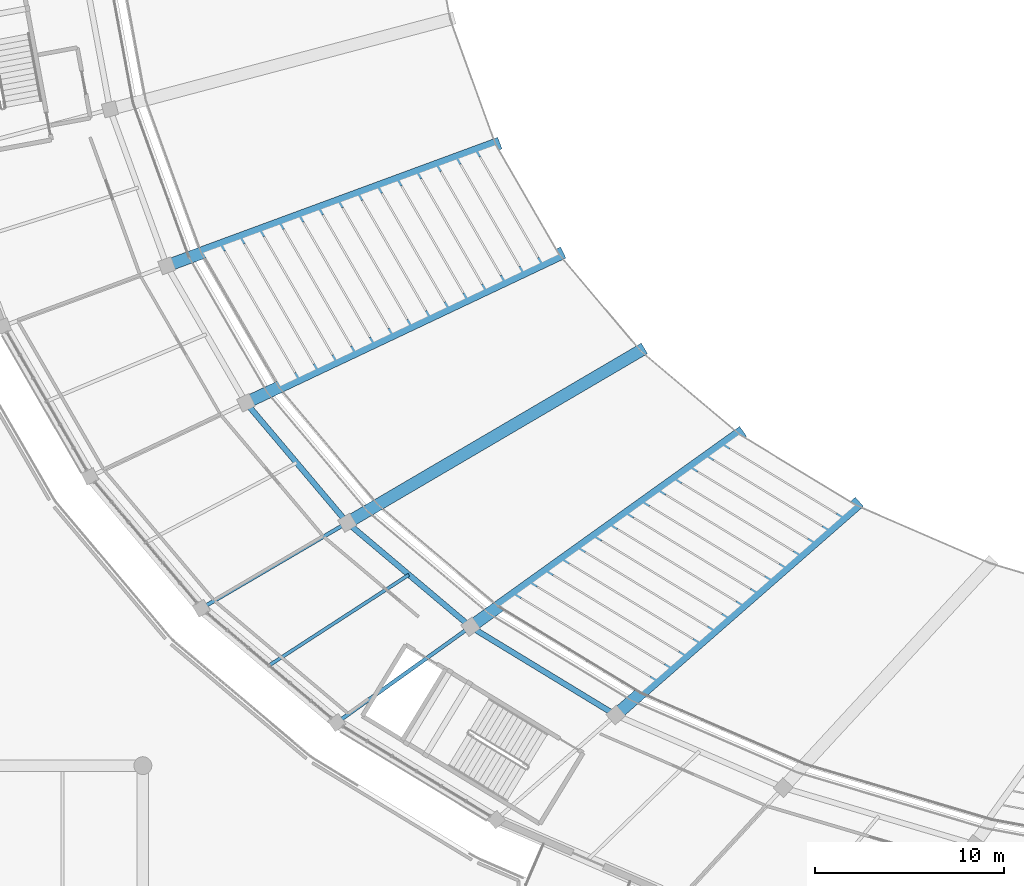
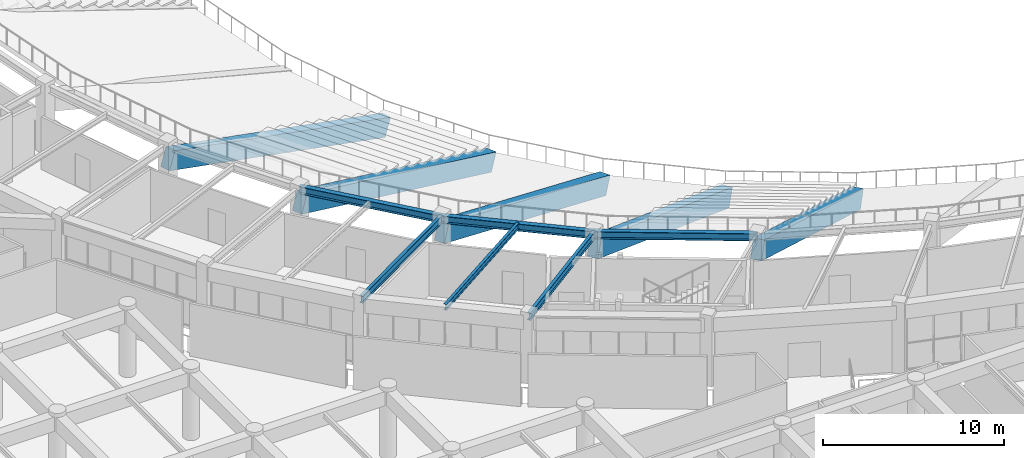
# One storey, part 20 of 137: 11 beams.
"""IFC4 building model written with IfcOpenShell, lengths in metres."""

from ifc_helpers import new_model, si_unit, direction, frame, origin, origin_2d, place, context, subcontext, project, spatial, rectangle, i_section, extrude, material, material_profile, profile_set, type_object, element, save


model = new_model("IFC4")

# Units and contexts
model_context = context("Model", 3, precision=1e-05, world=origin(), true_north=direction((0.0, 1.0)))
body_context = subcontext(model_context, "Body", "Model", "MODEL_VIEW")
ifc_project = project(units=[si_unit("LENGTHUNIT", "METRE"), si_unit("AREAUNIT", "SQUARE_METRE"), si_unit("VOLUMEUNIT", "CUBIC_METRE"), si_unit("PLANEANGLEUNIT", "RADIAN"), si_unit("MASSUNIT", "GRAM", prefix="KILO")], contexts=[model_context])

# Site, building, storey
site_placement = place(None, origin())
site = spatial("IfcSite", under=ifc_project, at=site_placement, CompositionType="ELEMENT")
building_placement = place(site_placement, origin())
building = spatial("IfcBuilding", under=site, at=building_placement, Name="Mphavela Belvedere Stadium", CompositionType="ELEMENT")
storey_placement = place(building_placement, frame((0.0, 0.0, 19.199951171875)))
storey = spatial("IfcBuildingStorey", under=building, at=storey_placement, Name="L04", CompositionType="ELEMENT", Elevation=19.199951171875)

# Beams
ifc_material_1 = material(Name="Steel S355", Category="steel")
ifc_material_profile_1 = material_profile(ifc_material_1, i_section(OverallWidth=0.179931640625, OverallDepth=0.39990234375, WebThickness=0.008544921875, FlangeThickness=0.013427734375, at=origin_2d()), Name="IPE 400")
ifc_profile_set_1 = profile_set([ifc_material_profile_1], Name="Steel S355")
beam_type_1 = type_object("IfcBeamType", Name="BM-JOIST-IPE400", PredefinedType="JOIST", material=ifc_profile_set_1)
beam_1_placement = place(storey_placement, frame((39.669189453125, 38.127197265625, 4.35009765625), z_axis=(-0.838915278194, -0.544262028818, 0.0), x_axis=(0.544262028818, -0.838915278194, 0.0)))
element("IfcBeam", 1, at=beam_1_placement, inside=storey, type_object=beam_type_1, Name="Concourse floor joist L04-30", PredefinedType="JOIST", context=body_context, shape_type="SweptSolid", body=[
    extrude(i_section(OverallWidth=0.179931640625, OverallDepth=0.39990234375, WebThickness=0.008544921875, FlangeThickness=0.013427734375, at=origin_2d()), origin(), (0.0, 0.0, 1.0), 8.840087890625),
])
ifc_material_2 = material(Name="Precast concrete C45/55", Category="concrete")
ifc_material_profile_2 = material_profile(ifc_material_2, rectangle(XDim=0.64990234375, YDim=1.199951171875, at=origin_2d()), Name="PC 650x1200")
ifc_profile_set_2 = profile_set([ifc_material_profile_2], Name="Precast concrete C45/55")
beam_type_2 = type_object("IfcBeamType", Name="BM-RAKER-UPPER", PredefinedType="USERDEFINED", material=ifc_profile_set_2)
beam_2_placement = place(storey_placement, frame((44.27685546875, 60.9453125, -4.349853515625), z_axis=(-0.866159020373, -0.319104203127, 0.384631068654), x_axis=(0.345698667521, -0.938345582008, 0.0)))
element("IfcBeam", 2, at=beam_2_placement, inside=storey, type_object=beam_type_2, Name="Upper tier precast cantilever raker beam RK-U-28", ObjectType="RAKER BEAM", PredefinedType="USERDEFINED", context=body_context, shape_type="SweptSolid", body=[
    extrude(rectangle(XDim=0.64990234375, YDim=1.199951171875, at=origin_2d()), origin(), (0.0, 0.0, 1.0), 20.149169921875),
])
beam_3_placement = place(storey_placement, frame((47.6455078125, 55.118896484375, -4.349853515625), z_axis=(-0.832914269841, -0.39423956274, 0.388367076701), x_axis=(0.427821517517, -0.903863235866, 0.0)))
element("IfcBeam", 3, at=beam_3_placement, inside=storey, type_object=beam_type_2, Name="Upper tier precast cantilever raker beam RK-U-29", ObjectType="RAKER BEAM", PredefinedType="USERDEFINED", context=body_context, shape_type="SweptSolid", body=[
    extrude(rectangle(XDim=0.64990234375, YDim=1.199951171875, at=origin_2d()), origin(), (0.0, 0.0, 1.0), 19.955322265625),
])
beam_4_placement = place(storey_placement, frame((51.956787109375, 50.013427734375, -4.349853515625), z_axis=(-0.792460869646, -0.464928119201, 0.394775396975), x_axis=(0.506028977575, -0.862516477439, 0.0)))
element("IfcBeam", 4, at=beam_4_placement, inside=storey, type_object=beam_type_2, Name="Upper tier precast cantilever raker beam RK-U-30", ObjectType="RAKER BEAM", PredefinedType="USERDEFINED", context=body_context, shape_type="SweptSolid", body=[
    extrude(rectangle(XDim=0.64990234375, YDim=1.199951171875, at=origin_2d()), origin(), (0.0, 0.0, 1.0), 19.63134765625),
])
beam_5_placement = place(storey_placement, frame((57.201416015625, 45.587646484375, -4.349853515625), z_axis=(-0.743575410162, -0.532772672348, 0.40404070216), x_axis=(0.582430073559, -0.812880808861, 0.0)))
element("IfcBeam", 5, at=beam_5_placement, inside=storey, type_object=beam_type_2, Name="Upper tier precast cantilever raker beam RK-U-31", ObjectType="RAKER BEAM", PredefinedType="USERDEFINED", context=body_context, shape_type="SweptSolid", body=[
    extrude(rectangle(XDim=0.64990234375, YDim=1.199951171875, at=origin_2d()), origin(), (0.0, 0.0, 1.0), 19.18115234375),
])
beam_6_placement = place(storey_placement, frame((63.37841796875, 41.829833984375, -4.349853515625), z_axis=(-0.684252041104, -0.598748403333, 0.416292557886), x_axis=(0.65852196664, -0.752561505429, 0.0)))
element("IfcBeam", 6, at=beam_6_placement, inside=storey, type_object=beam_type_2, Name="Upper tier precast cantilever raker beam RK-U-32", ObjectType="RAKER BEAM", PredefinedType="USERDEFINED", context=body_context, shape_type="SweptSolid", body=[
    extrude(rectangle(XDim=0.64990234375, YDim=1.199951171875, at=origin_2d()), origin(), (0.0, 0.0, 1.0), 18.61669921875),
])
ifc_material_3 = material(Name="Steel S355", Category="steel")
ifc_material_profile_3 = material_profile(ifc_material_3, i_section(OverallWidth=0.300048828125, OverallDepth=0.489990234375, WebThickness=0.011962890625, FlangeThickness=0.02294921875, at=origin_2d()), Name="HEA 500")
ifc_profile_set_3 = profile_set([ifc_material_profile_3], Name="Steel S355")
beam_type_3 = type_object("IfcBeamType", Name="BM-STEEL-HEA500", PredefinedType="BEAM", material=ifc_profile_set_3)
beam_7_placement = place(storey_placement, frame((31.0244140625, 47.251708984375, 4.304931640625), z_axis=(0.645177396673, -0.764032804808, 0.0), x_axis=(0.764032804808, 0.645177396673, 0.0)))
element("IfcBeam", 7, at=beam_7_placement, inside=storey, type_object=beam_type_3, Name="Circumferential girder L04 R3-29", PredefinedType="BEAM", context=body_context, shape_type="SweptSolid", body=[
    extrude(i_section(OverallWidth=0.300048828125, OverallDepth=0.489990234375, WebThickness=0.011962890625, FlangeThickness=0.02294921875, at=origin_2d()), origin(), (0.0, 0.0, 1.0), 8.331298828125),
])
beam_8_placement = place(storey_placement, frame((36.399658203125, 40.88623046875, 4.304931640625), z_axis=(0.764263355392, -0.644904274761, 0.0), x_axis=(0.644904274761, 0.764263355392, 0.0)))
element("IfcBeam", 8, at=beam_8_placement, inside=storey, type_object=beam_type_3, Name="Circumferential girder L04 R3-30", PredefinedType="BEAM", context=body_context, shape_type="SweptSolid", body=[
    extrude(i_section(OverallWidth=0.300048828125, OverallDepth=0.489990234375, WebThickness=0.011962890625, FlangeThickness=0.02294921875, at=origin_2d()), origin(), (0.0, 0.0, 1.0), 8.55615234375),
])
beam_9_placement = place(storey_placement, frame((42.938720703125, 35.368408203125, 4.304931640625), z_axis=(0.854315160357, -0.519755333579, 0.0), x_axis=(0.519755333579, 0.854315160357, 0.0)))
element("IfcBeam", 9, at=beam_9_placement, inside=storey, type_object=beam_type_3, Name="Circumferential girder L04 R3-31", PredefinedType="BEAM", context=body_context, shape_type="SweptSolid", body=[
    extrude(i_section(OverallWidth=0.300048828125, OverallDepth=0.489990234375, WebThickness=0.011962890625, FlangeThickness=0.02294921875, at=origin_2d()), origin(), (0.0, 0.0, 1.0), 9.014404296875),
])
ifc_material_4 = material(Name="Steel S355", Category="steel")
ifc_material_profile_4 = material_profile(ifc_material_4, i_section(OverallWidth=0.199951171875, OverallDepth=0.5, WebThickness=0.01025390625, FlangeThickness=0.01611328125, at=origin_2d()), Name="IPE 500")
ifc_profile_set_4 = profile_set([ifc_material_profile_4], Name="Steel S355")
beam_type_4 = type_object("IfcBeamType", Name="BM-STEEL-IPE500", PredefinedType="BEAM", material=ifc_profile_set_4)
beam_10_placement = place(storey_placement, frame((36.399658203125, 40.88623046875, 4.300048828125), z_axis=(-0.862517779395, -0.506026758411, 0.0), x_axis=(0.506026758411, -0.862517779395, 0.0)))
element("IfcBeam", 10, at=beam_10_placement, inside=storey, type_object=beam_type_4, Name="Radial concourse girder L04 R3R4-30", PredefinedType="BEAM", context=body_context, shape_type="SweptSolid", body=[
    extrude(i_section(OverallWidth=0.199951171875, OverallDepth=0.5, WebThickness=0.01025390625, FlangeThickness=0.01611328125, at=origin_2d()), origin(), (0.0, 0.0, 1.0), 8.971435546875),
])
beam_11_placement = place(storey_placement, frame((42.938720703125, 35.368408203125, 4.300048828125), z_axis=(-0.812882024932, -0.582428376319, 0.0), x_axis=(0.582428376319, -0.812882024932, 0.0)))
element("IfcBeam", 11, at=beam_11_placement, inside=storey, type_object=beam_type_4, Name="Radial concourse girder L04 R3R4-31", PredefinedType="BEAM", context=body_context, shape_type="SweptSolid", body=[
    extrude(i_section(OverallWidth=0.199951171875, OverallDepth=0.5, WebThickness=0.01025390625, FlangeThickness=0.01611328125, at=origin_2d()), origin(), (0.0, 0.0, 1.0), 8.727294921875),
])

save(model, "model.ifc")
